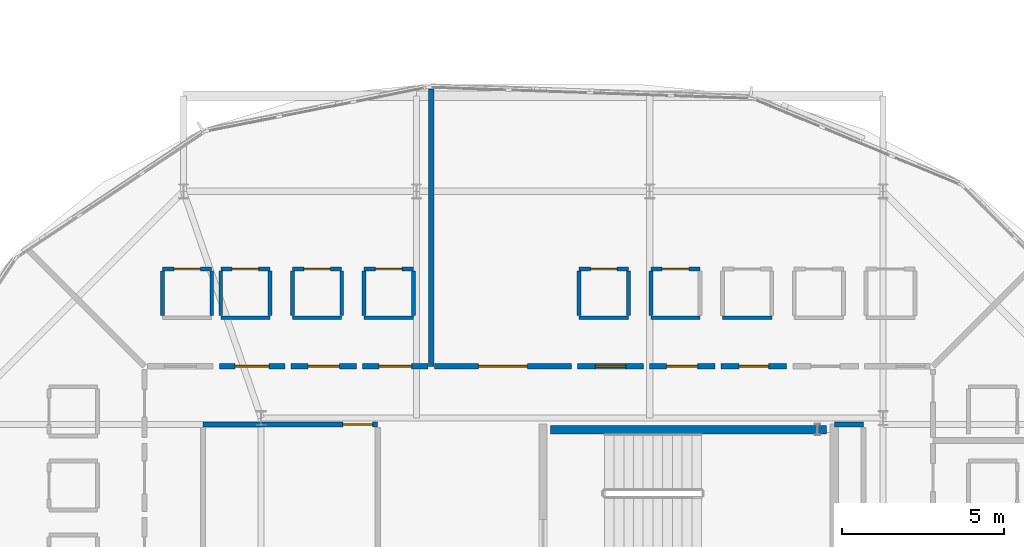
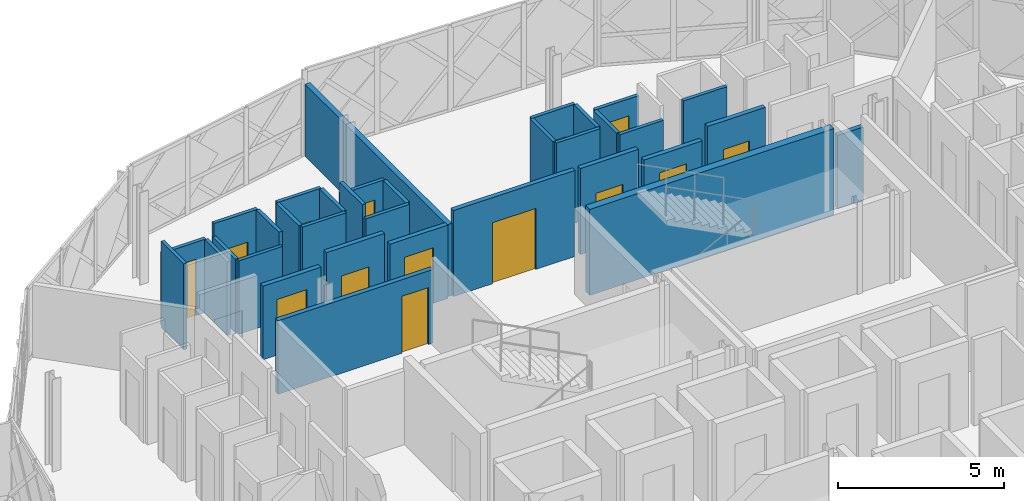
# One storey, part 19 of 25: 34 walls, 14 doors, 14 openings.
"""IFC4 building model written with IfcOpenShell, lengths in metres."""

from ifc_helpers import new_model, si_unit, direction, frame, frame_2d, origin, place, context, subcontext, project, spatial, rectangle, extrude, material, layer, layer_set, type_object, element, fill, save


model = new_model("IFC4")

# Units and contexts
model_context = context("Model", 3, precision=1e-05, world=origin(), true_north=direction((0.0, 1.0)))
body_context = subcontext(model_context, "Body", "Model", "MODEL_VIEW")
ifc_project = project(units=[si_unit("LENGTHUNIT", "METRE"), si_unit("AREAUNIT", "SQUARE_METRE"), si_unit("VOLUMEUNIT", "CUBIC_METRE"), si_unit("PLANEANGLEUNIT", "RADIAN"), si_unit("MASSUNIT", "GRAM", prefix="KILO")], contexts=[model_context])

# Site, building, storey
site_placement = place(None, origin())
site = spatial("IfcSite", under=ifc_project, at=site_placement, CompositionType="ELEMENT")
building_placement = place(site_placement, origin())
building = spatial("IfcBuilding", under=site, at=building_placement, Name="Zevrakil Square Congress Hotel", CompositionType="ELEMENT")
storey_placement = place(building_placement, frame((0.0, 0.0, 28.300048828125)))
storey = spatial("IfcBuildingStorey", under=building, at=storey_placement, Name="L08", CompositionType="ELEMENT", Elevation=28.300048828125)

# Wall, opening, door
ifc_material_1 = material(Name="Gypsum Acoustic Stud Partition")
ifc_layer_1 = layer(ifc_material_1, 0.159912109375)
ifc_layer_set_1 = layer_set([ifc_layer_1], Name="Gypsum Acoustic Stud Partition")
wall_type_1 = type_object("IfcWallType", Name="WAL-CORR-160", PredefinedType="PARTITIONING", material=ifc_layer_set_1)
wall_1_placement = place(storey_placement, frame((135.0, 38.39990234375, 0.0), z_axis=(0.0, 0.0, 1.0), x_axis=(1.0, 0.0, 0.0)))
wall_1 = element("IfcWall", 1, at=wall_1_placement, inside=storey, type_object=wall_type_1, Name="L08 interior partition PW-L08-1120", PredefinedType="PARTITIONING", context=body_context, shape_type="SweptSolid", body=[
    extrude(rectangle(XDim=5.39990234375, YDim=0.159912109375, at=frame_2d((2.699951171875, 0.0))), origin(), (0.0, 0.0, 1.0), 2.7099609375),
])
opening_1_placement = place(wall_1_placement, frame((4.320068359375, 0.0, 0.0)))
opening_1 = element("IfcOpeningElement", 2, at=opening_1_placement, cuts=wall_1, Name="Opening ID-07", PredefinedType="OPENING", context=body_context, shape_type="SweptSolid", body=[
    extrude(rectangle(XDim=0.919921875, YDim=2.10009765625, at=frame_2d((0.4599609375, 1.050048828125))), frame((0.0, 0.08984375, 0.0), z_axis=(0.0, -1.0, 0.0), x_axis=(1.0, 0.0, 0.0)), (0.0, 0.0, 1.0), 0.179931640625),
])
ifc_material_2 = material(Name="Accessible Restroom Door")
door_type_1 = type_object("IfcDoorType", Name="DOR-WC-092", OperationType="NOTDEFINED", PredefinedType="DOOR", material=ifc_material_2)
door_1_placement = place(opening_1_placement, origin())
door_1 = element("IfcDoor", 3, at=door_1_placement, inside=storey, type_object=door_type_1, Name="L08 interior door 439", OperationType="SINGLE_SWING_LEFT", OverallHeight=2.10009765625, OverallWidth=0.919921875, PredefinedType="DOOR", context=body_context, shape_type="SweptSolid", body=[
    extrude(rectangle(XDim=0.919921875, YDim=2.10009765625, at=frame_2d((0.4599609375, 1.050048828125))), frame((0.0, 0.02490234375, 0.0), z_axis=(0.0, -1.0, 0.0), x_axis=(1.0, 0.0, 0.0)), (0.0, 0.0, 1.0), 0.050048828125),
])
fill(opening_1, door_1)

# Wall
wall_2_placement = place(storey_placement, frame((154.5, 38.39990234375, 0.0), z_axis=(0.0, 0.0, 1.0), x_axis=(1.0, 0.0, 0.0)))
element("IfcWall", 4, at=wall_2_placement, inside=storey, type_object=wall_type_1, Name="L08 interior partition PW-L08-1125", PredefinedType="PARTITIONING", context=body_context, shape_type="SweptSolid", body=[
    extrude(rectangle(XDim=0.89990234375, YDim=0.159912109375, at=frame_2d((0.449951171875, 0.0))), origin(), (0.0, 0.0, 1.0), 2.7099609375),
])

# Wall, opening, door
wall_3_placement = place(storey_placement, frame((142.149658203125, 40.199951171875, 0.0), z_axis=(0.0, 0.0, 1.0), x_axis=(1.0, 0.0, 0.0)))
wall_3 = element("IfcWall", 5, at=wall_3_placement, inside=storey, type_object=wall_type_1, Name="L08 interior partition PW-L08-1132", PredefinedType="PARTITIONING", context=body_context, shape_type="SweptSolid", body=[
    extrude(rectangle(XDim=4.237060546875, YDim=0.159912109375, at=frame_2d((2.11865234375, 0.0))), origin(), (0.0, 0.0, 1.0), 3.175048828125),
])
opening_2_placement = place(wall_3_placement, frame((1.36865234375, 0.0, 0.0)))
opening_2 = element("IfcOpeningElement", 6, at=opening_2_placement, cuts=wall_3, Name="Opening ID-03", PredefinedType="OPENING", context=body_context, shape_type="SweptSolid", body=[
    extrude(rectangle(XDim=1.5, YDim=2.25, at=frame_2d((0.75, 1.125))), frame((0.0, 0.08984375, 0.0), z_axis=(0.0, -1.0, 0.0), x_axis=(1.0, 0.0, 0.0)), (0.0, 0.0, 1.0), 0.179931640625),
])
ifc_material_3 = material(Name="Acoustic Double Meeting Door")
door_type_2 = type_object("IfcDoorType", Name="DOR-MTG-150", OperationType="NOTDEFINED", PredefinedType="DOOR", material=ifc_material_3)
door_2_placement = place(opening_2_placement, origin())
door_2 = element("IfcDoor", 7, at=door_2_placement, inside=storey, type_object=door_type_2, Name="L08 interior door 442", OperationType="DOUBLE_DOOR_SINGLE_SWING", OverallHeight=2.25, OverallWidth=1.5, PredefinedType="DOOR", context=body_context, shape_type="SweptSolid", body=[
    extrude(rectangle(XDim=1.5, YDim=2.25, at=frame_2d((0.75, 1.125))), frame((0.0, 0.02490234375, 0.0), z_axis=(0.0, -1.0, 0.0), x_axis=(1.0, 0.0, 0.0)), (0.0, 0.0, 1.0), 0.050048828125),
])
fill(opening_2, door_2)

wall_4_placement = place(storey_placement, frame((151.004150390625, 40.199951171875, 0.0), z_axis=(0.0, 0.0, 1.0), x_axis=(1.0, 0.0, 0.0)))
wall_4 = element("IfcWall", 8, at=wall_4_placement, inside=storey, type_object=wall_type_1, Name="L08 interior partition PW-L08-1256", PredefinedType="PARTITIONING", context=body_context, shape_type="SweptSolid", body=[
    extrude(rectangle(XDim=2.0234375, YDim=0.159912109375, at=frame_2d((1.01171875, 0.0))), origin(), (0.0, 0.0, 1.0), 3.175048828125),
])
opening_3_placement = place(wall_4_placement, frame((0.555908203125, 0.0, 0.0)))
opening_3 = element("IfcOpeningElement", 9, at=opening_3_placement, cuts=wall_4, Name="Opening ID-H06", PredefinedType="OPENING", context=body_context, shape_type="SweptSolid", body=[
    extrude(rectangle(XDim=0.912109375, YDim=2.1298828125, at=frame_2d((0.4560546875, 1.06494140625))), frame((0.0, 0.08984375, 0.0), z_axis=(0.0, -1.0, 0.0), x_axis=(1.0, 0.0, 0.0)), (0.0, 0.0, 1.0), 0.179931640625),
])
ifc_material_4 = material(Name="Acoustic Timber Fire Door", Category="wood")
door_type_3 = type_object("IfcDoorType", Name="DOR-INT-H06", OperationType="NOTDEFINED", PredefinedType="DOOR", material=ifc_material_4)
door_3_placement = place(opening_3_placement, origin())
door_3 = element("IfcDoor", 10, at=door_3_placement, inside=storey, type_object=door_type_3, Name="L08 interior door 491", OperationType="SINGLE_SWING_LEFT", OverallHeight=2.1298828125, OverallWidth=0.912109375, PredefinedType="DOOR", context=body_context, shape_type="SweptSolid", body=[
    extrude(rectangle(XDim=0.912109375, YDim=2.1298828125, at=frame_2d((0.4560546875, 1.06494140625))), frame((0.0, 0.02490234375, 0.0), z_axis=(0.0, -1.0, 0.0), x_axis=(1.0, 0.0, 0.0)), (0.0, 0.0, 1.0), 0.050048828125),
])
fill(opening_3, door_3)

wall_5_placement = place(storey_placement, frame((148.79052734375, 40.199951171875, 0.0), z_axis=(0.0, 0.0, 1.0), x_axis=(1.0, 0.0, 0.0)))
wall_5 = element("IfcWall", 11, at=wall_5_placement, inside=storey, type_object=wall_type_1, Name="L08 interior partition PW-L08-1261", PredefinedType="PARTITIONING", context=body_context, shape_type="SweptSolid", body=[
    extrude(rectangle(XDim=2.023681640625, YDim=0.159912109375, at=frame_2d((1.01171875, 0.0))), origin(), (0.0, 0.0, 1.0), 2.7099609375),
])
opening_4_placement = place(wall_5_placement, frame((0.5341796875, 0.0, 0.0)))
opening_4 = element("IfcOpeningElement", 12, at=opening_4_placement, cuts=wall_5, Name="Opening ID-G05", PredefinedType="OPENING", context=body_context, shape_type="SweptSolid", body=[
    extrude(rectangle(XDim=0.955078125, YDim=2.050048828125, at=frame_2d((0.4775390625, 1.02490234375))), frame((0.0, 0.08984375, 0.0), z_axis=(0.0, -1.0, 0.0), x_axis=(1.0, 0.0, 0.0)), (0.0, 0.0, 1.0), 0.179931640625),
])
ifc_material_5 = material(Name="Acoustic Timber Fire Door", Category="wood")
door_type_4 = type_object("IfcDoorType", Name="DOR-INT-G05", OperationType="NOTDEFINED", PredefinedType="DOOR", material=ifc_material_5)
door_4_placement = place(opening_4_placement, origin())
door_4 = element("IfcDoor", 13, at=door_4_placement, inside=storey, type_object=door_type_4, Name="L08 interior door 493", OperationType="SINGLE_SWING_LEFT", OverallHeight=2.050048828125, OverallWidth=0.955078125, PredefinedType="DOOR", context=body_context, shape_type="SweptSolid", body=[
    extrude(rectangle(XDim=0.955078125, YDim=2.050048828125, at=frame_2d((0.4775390625, 1.02490234375))), frame((0.0, 0.02490234375, 0.0), z_axis=(0.0, -1.0, 0.0), x_axis=(1.0, 0.0, 0.0)), (0.0, 0.0, 1.0), 0.050048828125),
])
fill(opening_4, door_4)

wall_6_placement = place(storey_placement, frame((146.576904296875, 40.199951171875, 0.0), z_axis=(0.0, 0.0, 1.0), x_axis=(1.0, 0.0, 0.0)))
wall_6 = element("IfcWall", 14, at=wall_6_placement, inside=storey, type_object=wall_type_1, Name="L08 interior partition PW-L08-1266", PredefinedType="PARTITIONING", context=body_context, shape_type="SweptSolid", body=[
    extrude(rectangle(XDim=2.023681640625, YDim=0.159912109375, at=frame_2d((1.01171875, 0.0))), origin(), (0.0, 0.0, 1.0), 3.175048828125),
])
opening_5_placement = place(wall_6_placement, frame((0.543701171875, 0.0, 0.0)))
opening_5 = element("IfcOpeningElement", 15, at=opening_5_placement, cuts=wall_6, Name="Opening ID-H08", PredefinedType="OPENING", context=body_context, shape_type="SweptSolid", body=[
    extrude(rectangle(XDim=0.93603515625, YDim=2.070068359375, at=frame_2d((0.468017578125, 1.03515625))), frame((0.0, 0.08984375, 0.0), z_axis=(0.0, -1.0, 0.0), x_axis=(1.0, 0.0, 0.0)), (0.0, 0.0, 1.0), 0.179931640625),
])
ifc_material_6 = material(Name="Acoustic Timber Fire Door", Category="wood")
door_type_5 = type_object("IfcDoorType", Name="DOR-INT-H08", OperationType="NOTDEFINED", PredefinedType="DOOR", material=ifc_material_6)
door_5_placement = place(opening_5_placement, origin())
door_5 = element("IfcDoor", 16, at=door_5_placement, inside=storey, type_object=door_type_5, Name="L08 interior door 495", OperationType="SINGLE_SWING_LEFT", OverallHeight=2.070068359375, OverallWidth=0.93603515625, PredefinedType="DOOR", context=body_context, shape_type="SweptSolid", body=[
    extrude(rectangle(XDim=0.93603515625, YDim=2.070068359375, at=frame_2d((0.468017578125, 1.03515625))), frame((0.0, 0.02490234375, 0.0), z_axis=(0.0, -1.0, 0.0), x_axis=(1.0, 0.0, 0.0)), (0.0, 0.0, 1.0), 0.050048828125),
])
fill(opening_5, door_5)

wall_7_placement = place(storey_placement, frame((139.935791015625, 40.199951171875, 0.0), z_axis=(0.0, 0.0, 1.0), x_axis=(1.0, 0.0, 0.0)))
wall_7 = element("IfcWall", 17, at=wall_7_placement, inside=storey, type_object=wall_type_1, Name="L08 interior partition PW-L08-1271", PredefinedType="PARTITIONING", context=body_context, shape_type="SweptSolid", body=[
    extrude(rectangle(XDim=2.023681640625, YDim=0.159912109375, at=frame_2d((1.01171875, 0.0))), origin(), (0.0, 0.0, 1.0), 2.7099609375),
])
opening_6_placement = place(wall_7_placement, frame((0.50927734375, 0.0, 0.0)))
opening_6 = element("IfcOpeningElement", 18, at=opening_6_placement, cuts=wall_7, Name="Opening ID-G07", PredefinedType="OPENING", context=body_context, shape_type="SweptSolid", body=[
    extrude(rectangle(XDim=1.0048828125, YDim=2.050048828125, at=frame_2d((0.50244140625, 1.02490234375))), frame((0.0, 0.08984375, 0.0), z_axis=(0.0, -1.0, 0.0), x_axis=(1.0, 0.0, 0.0)), (0.0, 0.0, 1.0), 0.179931640625),
])
ifc_material_7 = material(Name="Acoustic Timber Fire Door", Category="wood")
door_type_6 = type_object("IfcDoorType", Name="DOR-INT-G07", OperationType="NOTDEFINED", PredefinedType="DOOR", material=ifc_material_7)
door_6_placement = place(opening_6_placement, origin())
door_6 = element("IfcDoor", 19, at=door_6_placement, inside=storey, type_object=door_type_6, Name="L08 interior door 497", OperationType="SINGLE_SWING_LEFT", OverallHeight=2.050048828125, OverallWidth=1.0048828125, PredefinedType="DOOR", context=body_context, shape_type="SweptSolid", body=[
    extrude(rectangle(XDim=1.0048828125, YDim=2.050048828125, at=frame_2d((0.50244140625, 1.02490234375))), frame((0.0, 0.02490234375, 0.0), z_axis=(0.0, -1.0, 0.0), x_axis=(1.0, 0.0, 0.0)), (0.0, 0.0, 1.0), 0.050048828125),
])
fill(opening_6, door_6)

wall_8_placement = place(storey_placement, frame((137.722412109375, 40.199951171875, 0.0), z_axis=(0.0, 0.0, 1.0), x_axis=(1.0, 0.0, 0.0)))
wall_8 = element("IfcWall", 20, at=wall_8_placement, inside=storey, type_object=wall_type_1, Name="L08 interior partition PW-L08-1277", PredefinedType="PARTITIONING", context=body_context, shape_type="SweptSolid", body=[
    extrude(rectangle(XDim=2.0234375, YDim=0.159912109375, at=frame_2d((1.01171875, 0.0))), origin(), (0.0, 0.0, 1.0), 3.175048828125),
])
opening_7_placement = place(wall_8_placement, frame((0.53173828125, 0.0, 0.0)))
opening_7 = element("IfcOpeningElement", 21, at=opening_7_placement, cuts=wall_8, Name="Opening ID-H10", PredefinedType="OPENING", context=body_context, shape_type="SweptSolid", body=[
    extrude(rectangle(XDim=0.9599609375, YDim=2.1298828125, at=frame_2d((0.47998046875, 1.06494140625))), frame((0.0, 0.08984375, 0.0), z_axis=(0.0, -1.0, 0.0), x_axis=(1.0, 0.0, 0.0)), (0.0, 0.0, 1.0), 0.179931640625),
])
ifc_material_8 = material(Name="Acoustic Timber Fire Door", Category="wood")
door_type_7 = type_object("IfcDoorType", Name="DOR-INT-H10", OperationType="NOTDEFINED", PredefinedType="DOOR", material=ifc_material_8)
door_7_placement = place(opening_7_placement, origin())
door_7 = element("IfcDoor", 22, at=door_7_placement, inside=storey, type_object=door_type_7, Name="L08 interior door 499", OperationType="SINGLE_SWING_LEFT", OverallHeight=2.1298828125, OverallWidth=0.9599609375, PredefinedType="DOOR", context=body_context, shape_type="SweptSolid", body=[
    extrude(rectangle(XDim=0.9599609375, YDim=2.1298828125, at=frame_2d((0.47998046875, 1.06494140625))), frame((0.0, 0.02490234375, 0.0), z_axis=(0.0, -1.0, 0.0), x_axis=(1.0, 0.0, 0.0)), (0.0, 0.0, 1.0), 0.050048828125),
])
fill(opening_7, door_7)

wall_9_placement = place(storey_placement, frame((135.5087890625, 40.199951171875, 0.0), z_axis=(0.0, 0.0, 1.0), x_axis=(1.0, 0.0, 0.0)))
wall_9 = element("IfcWall", 23, at=wall_9_placement, inside=storey, type_object=wall_type_1, Name="L08 interior partition PW-L08-1282", PredefinedType="PARTITIONING", context=body_context, shape_type="SweptSolid", body=[
    extrude(rectangle(XDim=2.0234375, YDim=0.159912109375, at=frame_2d((1.01171875, 0.0))), origin(), (0.0, 0.0, 1.0), 2.7099609375),
])
opening_8_placement = place(wall_9_placement, frame((0.484375, 0.0, 0.0)))
opening_8 = element("IfcOpeningElement", 24, at=opening_8_placement, cuts=wall_9, Name="Opening ID-G09", PredefinedType="OPENING", context=body_context, shape_type="SweptSolid", body=[
    extrude(rectangle(XDim=1.054931640625, YDim=2.050048828125, at=frame_2d((0.52734375, 1.02490234375))), frame((0.0, 0.08984375, 0.0), z_axis=(0.0, -1.0, 0.0), x_axis=(1.0, 0.0, 0.0)), (0.0, 0.0, 1.0), 0.179931640625),
])
ifc_material_9 = material(Name="Acoustic Timber Fire Door", Category="wood")
door_type_8 = type_object("IfcDoorType", Name="DOR-INT-G09", OperationType="NOTDEFINED", PredefinedType="DOOR", material=ifc_material_9)
door_8_placement = place(opening_8_placement, origin())
door_8 = element("IfcDoor", 25, at=door_8_placement, inside=storey, type_object=door_type_8, Name="L08 interior door 501", OperationType="SINGLE_SWING_LEFT", OverallHeight=2.050048828125, OverallWidth=1.054931640625, PredefinedType="DOOR", context=body_context, shape_type="SweptSolid", body=[
    extrude(rectangle(XDim=1.054931640625, YDim=2.050048828125, at=frame_2d((0.52734375, 1.02490234375))), frame((0.0, 0.02490234375, 0.0), z_axis=(0.0, -1.0, 0.0), x_axis=(1.0, 0.0, 0.0)), (0.0, 0.0, 1.0), 0.050048828125),
])
fill(opening_8, door_8)

# Walls
ifc_material_10 = material(Name="Moisture-Resistant Gypsum Partition")
ifc_layer_2 = layer(ifc_material_10, 0.1201171875)
ifc_layer_set_2 = layer_set([ifc_layer_2], Name="Moisture-Resistant Gypsum Partition")
wall_type_2 = type_object("IfcWallType", Name="WAL-ENS-120", PredefinedType="PARTITIONING", material=ifc_layer_set_2)
wall_10_placement = place(storey_placement, frame((151.049072265625, 41.699951171875, 0.0), z_axis=(0.0, 0.0, 1.0), x_axis=(1.0, 0.0, 0.0)))
element("IfcWall", 26, at=wall_10_placement, inside=storey, type_object=wall_type_2, Name="L08 interior partition PW-L08-1257", PredefinedType="PARTITIONING", context=body_context, shape_type="SweptSolid", body=[
    extrude(rectangle(XDim=1.52001953125, YDim=0.1201171875, at=frame_2d((0.760009765625, 0.0))), origin(), (0.0, 0.0, 1.0), 3.175048828125),
])
wall_11_placement = place(storey_placement, frame((148.83544921875, 41.699951171875, 0.0), z_axis=(0.0, 0.0, 1.0), x_axis=(1.0, 0.0, 0.0)))
element("IfcWall", 27, at=wall_11_placement, inside=storey, type_object=wall_type_2, Name="L08 interior partition PW-L08-1262", PredefinedType="PARTITIONING", context=body_context, shape_type="SweptSolid", body=[
    extrude(rectangle(XDim=1.52001953125, YDim=0.1201171875, at=frame_2d((0.760009765625, 0.0))), origin(), (0.0, 0.0, 1.0), 2.7099609375),
])

# Wall, opening, door
wall_12_placement = place(storey_placement, frame((148.83544921875, 43.199951171875, 0.0), z_axis=(0.0, 0.0, 1.0), x_axis=(1.0, 0.0, 0.0)))
wall_12 = element("IfcWall", 28, at=wall_12_placement, inside=storey, type_object=wall_type_2, Name="L08 interior partition PW-L08-1263", PredefinedType="PARTITIONING", context=body_context, shape_type="SweptSolid", body=[
    extrude(rectangle(XDim=1.52001953125, YDim=0.1201171875, at=frame_2d((0.760009765625, 0.0))), origin(), (0.0, 0.0, 1.0), 2.7099609375),
])
opening_9_placement = place(wall_12_placement, frame((0.35009765625, 0.0, 0.0)))
opening_9 = element("IfcOpeningElement", 29, at=opening_9_placement, cuts=wall_12, Name="Opening ID-11", PredefinedType="OPENING", context=body_context, shape_type="SweptSolid", body=[
    extrude(rectangle(XDim=0.820068359375, YDim=2.080078125, at=frame_2d((0.41015625, 1.0400390625))), frame((0.0, 0.070068359375, 0.0), z_axis=(0.0, -1.0, 0.0), x_axis=(1.0, 0.0, 0.0)), (0.0, 0.0, 1.0), 0.14013671875),
])
ifc_material_11 = material(Name="Acoustic Timber Door", Category="wood")
door_type_9 = type_object("IfcDoorType", Name="DOR-INT-V01", OperationType="NOTDEFINED", PredefinedType="DOOR", material=ifc_material_11)
door_9_placement = place(opening_9_placement, origin())
door_9 = element("IfcDoor", 30, at=door_9_placement, inside=storey, type_object=door_type_9, Name="L08 interior door 494", OperationType="SINGLE_SWING_RIGHT", OverallHeight=2.080078125, OverallWidth=0.820068359375, PredefinedType="DOOR", context=body_context, shape_type="SweptSolid", body=[
    extrude(rectangle(XDim=0.820068359375, YDim=2.080078125, at=frame_2d((0.41015625, 1.0400390625))), frame((0.0, 0.02490234375, 0.0), z_axis=(0.0, -1.0, 0.0), x_axis=(1.0, 0.0, 0.0)), (0.0, 0.0, 1.0), 0.050048828125),
])
fill(opening_9, door_9)

# Walls
wall_13_placement = place(storey_placement, frame((148.83544921875, 41.764892578125, 0.0), z_axis=(0.0, 0.0, 1.0), x_axis=(0.0, 1.0, 0.0)))
element("IfcWall", 31, at=wall_13_placement, inside=storey, type_object=wall_type_2, Name="L08 interior partition PW-L08-1264", PredefinedType="PARTITIONING", context=body_context, shape_type="SweptSolid", body=[
    extrude(rectangle(XDim=1.3701171875, YDim=0.1201171875, at=frame_2d((0.68505859375, 0.0))), origin(), (0.0, 0.0, 1.0), 2.7099609375),
])
wall_14_placement = place(storey_placement, frame((146.621826171875, 41.699951171875, 0.0), z_axis=(0.0, 0.0, 1.0), x_axis=(1.0, 0.0, 0.0)))
element("IfcWall", 32, at=wall_14_placement, inside=storey, type_object=wall_type_2, Name="L08 interior partition PW-L08-1267", PredefinedType="PARTITIONING", context=body_context, shape_type="SweptSolid", body=[
    extrude(rectangle(XDim=1.52001953125, YDim=0.1201171875, at=frame_2d((0.760009765625, 0.0))), origin(), (0.0, 0.0, 1.0), 3.175048828125),
])

# Wall, opening, door
wall_15_placement = place(storey_placement, frame((146.621826171875, 43.199951171875, 0.0), z_axis=(0.0, 0.0, 1.0), x_axis=(1.0, 0.0, 0.0)))
wall_15 = element("IfcWall", 33, at=wall_15_placement, inside=storey, type_object=wall_type_2, Name="L08 interior partition PW-L08-1268", PredefinedType="PARTITIONING", context=body_context, shape_type="SweptSolid", body=[
    extrude(rectangle(XDim=1.52001953125, YDim=0.1201171875, at=frame_2d((0.760009765625, 0.0))), origin(), (0.0, 0.0, 1.0), 3.175048828125),
])
opening_10_placement = place(wall_15_placement, frame((0.35009765625, 0.0, 0.0)))
opening_10 = element("IfcOpeningElement", 34, at=opening_10_placement, cuts=wall_15, Name="Opening ID-11", PredefinedType="OPENING", context=body_context, shape_type="SweptSolid", body=[
    extrude(rectangle(XDim=0.820068359375, YDim=2.080078125, at=frame_2d((0.41015625, 1.0400390625))), frame((0.0, 0.070068359375, 0.0), z_axis=(0.0, -1.0, 0.0), x_axis=(1.0, 0.0, 0.0)), (0.0, 0.0, 1.0), 0.14013671875),
])
door_10_placement = place(opening_10_placement, origin())
door_10 = element("IfcDoor", 35, at=door_10_placement, inside=storey, type_object=door_type_9, Name="L08 interior door 496", OperationType="SINGLE_SWING_RIGHT", OverallHeight=2.080078125, OverallWidth=0.820068359375, PredefinedType="DOOR", context=body_context, shape_type="SweptSolid", body=[
    extrude(rectangle(XDim=0.820068359375, YDim=2.080078125, at=frame_2d((0.41015625, 1.0400390625))), frame((0.0, 0.02490234375, 0.0), z_axis=(0.0, -1.0, 0.0), x_axis=(1.0, 0.0, 0.0)), (0.0, 0.0, 1.0), 0.050048828125),
])
fill(opening_10, door_10)

# Walls
for number, where, z_axis, x_axis, name in (
    (36, (146.621826171875, 41.764892578125, 0.0), (0.0, 0.0, 1.0), (0.0, 1.0, 0.0), "L08 interior partition PW-L08-1269"),
    (37, (148.141845703125, 41.764892578125, 0.0), (0.0, 0.0, 1.0), (0.0, 1.0, 0.0), "L08 interior partition PW-L08-1270"),
):
    element("IfcWall", number, at=place(storey_placement, frame(where, z_axis=z_axis, x_axis=x_axis)), inside=storey, type_object=wall_type_2, Name=name, PredefinedType="PARTITIONING", context=body_context, shape_type="SweptSolid", body=[
        extrude(rectangle(XDim=1.3701171875, YDim=0.1201171875, at=frame_2d((0.68505859375, 0.0))), origin(), (0.0, 0.0, 1.0), 3.175048828125),
    ])
wall_16_placement = place(storey_placement, frame((139.98095703125, 41.699951171875, 0.0), z_axis=(0.0, 0.0, 1.0), x_axis=(1.0, 0.0, 0.0)))
element("IfcWall", 38, at=wall_16_placement, inside=storey, type_object=wall_type_2, Name="L08 interior partition PW-L08-1272", PredefinedType="PARTITIONING", context=body_context, shape_type="SweptSolid", body=[
    extrude(rectangle(XDim=1.52001953125, YDim=0.1201171875, at=frame_2d((0.760009765625, 0.0))), origin(), (0.0, 0.0, 1.0), 2.7099609375),
])

# Wall, opening, door
wall_17_placement = place(storey_placement, frame((139.98095703125, 43.199951171875, 0.0), z_axis=(0.0, 0.0, 1.0), x_axis=(1.0, 0.0, 0.0)))
wall_17 = element("IfcWall", 39, at=wall_17_placement, inside=storey, type_object=wall_type_2, Name="L08 interior partition PW-L08-1273", PredefinedType="PARTITIONING", context=body_context, shape_type="SweptSolid", body=[
    extrude(rectangle(XDim=1.52001953125, YDim=0.1201171875, at=frame_2d((0.760009765625, 0.0))), origin(), (0.0, 0.0, 1.0), 2.7099609375),
])
opening_11_placement = place(wall_17_placement, frame((0.35009765625, 0.0, 0.0)))
opening_11 = element("IfcOpeningElement", 40, at=opening_11_placement, cuts=wall_17, Name="Opening ID-11", PredefinedType="OPENING", context=body_context, shape_type="SweptSolid", body=[
    extrude(rectangle(XDim=0.820068359375, YDim=2.080078125, at=frame_2d((0.41015625, 1.0400390625))), frame((0.0, 0.070068359375, 0.0), z_axis=(0.0, -1.0, 0.0), x_axis=(1.0, 0.0, 0.0)), (0.0, 0.0, 1.0), 0.14013671875),
])
door_11_placement = place(opening_11_placement, origin())
door_11 = element("IfcDoor", 41, at=door_11_placement, inside=storey, type_object=door_type_9, Name="L08 interior door 498", OperationType="SINGLE_SWING_RIGHT", OverallHeight=2.080078125, OverallWidth=0.820068359375, PredefinedType="DOOR", context=body_context, shape_type="SweptSolid", body=[
    extrude(rectangle(XDim=0.820068359375, YDim=2.080078125, at=frame_2d((0.41015625, 1.0400390625))), frame((0.0, 0.02490234375, 0.0), z_axis=(0.0, -1.0, 0.0), x_axis=(1.0, 0.0, 0.0)), (0.0, 0.0, 1.0), 0.050048828125),
])
fill(opening_11, door_11)

# Walls
wall_18_placement = place(storey_placement, frame((139.98095703125, 41.764892578125, 0.0), z_axis=(0.0, 0.0, 1.0), x_axis=(0.0, 1.0, 0.0)))
element("IfcWall", 42, at=wall_18_placement, inside=storey, type_object=wall_type_2, Name="L08 interior partition PW-L08-1274", PredefinedType="PARTITIONING", context=body_context, shape_type="SweptSolid", body=[
    extrude(rectangle(XDim=1.3701171875, YDim=0.1201171875, at=frame_2d((0.68505859375, 0.0))), origin(), (0.0, 0.0, 1.0), 3.175048828125),
])
wall_19_placement = place(storey_placement, frame((141.5009765625, 41.764892578125, 0.0), z_axis=(0.0, 0.0, 1.0), x_axis=(0.0, 1.0, 0.0)))
element("IfcWall", 43, at=wall_19_placement, inside=storey, type_object=wall_type_2, Name="L08 interior partition PW-L08-1275", PredefinedType="PARTITIONING", context=body_context, shape_type="SweptSolid", body=[
    extrude(rectangle(XDim=1.3701171875, YDim=0.1201171875, at=frame_2d((0.68505859375, 0.0))), origin(), (0.0, 0.0, 1.0), 2.7099609375),
])
wall_20_placement = place(storey_placement, frame((137.767333984375, 41.699951171875, 0.0), z_axis=(0.0, 0.0, 1.0), x_axis=(1.0, 0.0, 0.0)))
element("IfcWall", 44, at=wall_20_placement, inside=storey, type_object=wall_type_2, Name="L08 interior partition PW-L08-1278", PredefinedType="PARTITIONING", context=body_context, shape_type="SweptSolid", body=[
    extrude(rectangle(XDim=1.52001953125, YDim=0.1201171875, at=frame_2d((0.760009765625, 0.0))), origin(), (0.0, 0.0, 1.0), 3.175048828125),
])

# Wall, opening, door
wall_21_placement = place(storey_placement, frame((137.767333984375, 43.199951171875, 0.0), z_axis=(0.0, 0.0, 1.0), x_axis=(1.0, 0.0, 0.0)))
wall_21 = element("IfcWall", 45, at=wall_21_placement, inside=storey, type_object=wall_type_2, Name="L08 interior partition PW-L08-1279", PredefinedType="PARTITIONING", context=body_context, shape_type="SweptSolid", body=[
    extrude(rectangle(XDim=1.52001953125, YDim=0.1201171875, at=frame_2d((0.760009765625, 0.0))), origin(), (0.0, 0.0, 1.0), 3.175048828125),
])
opening_12_placement = place(wall_21_placement, frame((0.35009765625, 0.0, 0.0)))
opening_12 = element("IfcOpeningElement", 46, at=opening_12_placement, cuts=wall_21, Name="Opening ID-11", PredefinedType="OPENING", context=body_context, shape_type="SweptSolid", body=[
    extrude(rectangle(XDim=0.820068359375, YDim=2.080078125, at=frame_2d((0.41015625, 1.0400390625))), frame((0.0, 0.070068359375, 0.0), z_axis=(0.0, -1.0, 0.0), x_axis=(1.0, 0.0, 0.0)), (0.0, 0.0, 1.0), 0.14013671875),
])
door_12_placement = place(opening_12_placement, origin())
door_12 = element("IfcDoor", 47, at=door_12_placement, inside=storey, type_object=door_type_9, Name="L08 interior door 500", OperationType="SINGLE_SWING_RIGHT", OverallHeight=2.080078125, OverallWidth=0.820068359375, PredefinedType="DOOR", context=body_context, shape_type="SweptSolid", body=[
    extrude(rectangle(XDim=0.820068359375, YDim=2.080078125, at=frame_2d((0.41015625, 1.0400390625))), frame((0.0, 0.02490234375, 0.0), z_axis=(0.0, -1.0, 0.0), x_axis=(1.0, 0.0, 0.0)), (0.0, 0.0, 1.0), 0.050048828125),
])
fill(opening_12, door_12)

# Walls
for number, where, z_axis, x_axis, name in (
    (48, (137.767333984375, 41.764892578125, 0.0), (0.0, 0.0, 1.0), (0.0, 1.0, 0.0), "L08 interior partition PW-L08-1280"),
    (49, (139.287353515625, 41.764892578125, 0.0), (0.0, 0.0, 1.0), (0.0, 1.0, 0.0), "L08 interior partition PW-L08-1281"),
):
    element("IfcWall", number, at=place(storey_placement, frame(where, z_axis=z_axis, x_axis=x_axis)), inside=storey, type_object=wall_type_2, Name=name, PredefinedType="PARTITIONING", context=body_context, shape_type="SweptSolid", body=[
        extrude(rectangle(XDim=1.3701171875, YDim=0.1201171875, at=frame_2d((0.68505859375, 0.0))), origin(), (0.0, 0.0, 1.0), 3.175048828125),
    ])
wall_22_placement = place(storey_placement, frame((135.5537109375, 41.699951171875, 0.0), z_axis=(0.0, 0.0, 1.0), x_axis=(1.0, 0.0, 0.0)))
element("IfcWall", 50, at=wall_22_placement, inside=storey, type_object=wall_type_2, Name="L08 interior partition PW-L08-1283", PredefinedType="PARTITIONING", context=body_context, shape_type="SweptSolid", body=[
    extrude(rectangle(XDim=1.52001953125, YDim=0.1201171875, at=frame_2d((0.760009765625, 0.0))), origin(), (0.0, 0.0, 1.0), 2.7099609375),
])

# Wall, opening, door
wall_23_placement = place(storey_placement, frame((135.5537109375, 43.199951171875, 0.0), z_axis=(0.0, 0.0, 1.0), x_axis=(1.0, 0.0, 0.0)))
wall_23 = element("IfcWall", 51, at=wall_23_placement, inside=storey, type_object=wall_type_2, Name="L08 interior partition PW-L08-1284", PredefinedType="PARTITIONING", context=body_context, shape_type="SweptSolid", body=[
    extrude(rectangle(XDim=1.52001953125, YDim=0.1201171875, at=frame_2d((0.760009765625, 0.0))), origin(), (0.0, 0.0, 1.0), 3.175048828125),
])
opening_13_placement = place(wall_23_placement, frame((0.35009765625, 0.0, 0.0)))
opening_13 = element("IfcOpeningElement", 52, at=opening_13_placement, cuts=wall_23, Name="Opening ID-11", PredefinedType="OPENING", context=body_context, shape_type="SweptSolid", body=[
    extrude(rectangle(XDim=0.820068359375, YDim=2.080078125, at=frame_2d((0.41015625, 1.0400390625))), frame((0.0, 0.070068359375, 0.0), z_axis=(0.0, -1.0, 0.0), x_axis=(1.0, 0.0, 0.0)), (0.0, 0.0, 1.0), 0.14013671875),
])
door_13_placement = place(opening_13_placement, origin())
door_13 = element("IfcDoor", 53, at=door_13_placement, inside=storey, type_object=door_type_9, Name="L08 interior door 502", OperationType="SINGLE_SWING_RIGHT", OverallHeight=2.080078125, OverallWidth=0.820068359375, PredefinedType="DOOR", context=body_context, shape_type="SweptSolid", body=[
    extrude(rectangle(XDim=0.820068359375, YDim=2.080078125, at=frame_2d((0.41015625, 1.0400390625))), frame((0.0, 0.02490234375, 0.0), z_axis=(0.0, -1.0, 0.0), x_axis=(1.0, 0.0, 0.0)), (0.0, 0.0, 1.0), 0.050048828125),
])
fill(opening_13, door_13)

# Walls
wall_24_placement = place(storey_placement, frame((135.5537109375, 41.764892578125, 0.0), z_axis=(0.0, 0.0, 1.0), x_axis=(0.0, 1.0, 0.0)))
element("IfcWall", 54, at=wall_24_placement, inside=storey, type_object=wall_type_2, Name="L08 interior partition PW-L08-1285", PredefinedType="PARTITIONING", context=body_context, shape_type="SweptSolid", body=[
    extrude(rectangle(XDim=1.3701171875, YDim=0.1201171875, at=frame_2d((0.68505859375, 0.0))), origin(), (0.0, 0.0, 1.0), 2.7099609375),
])
wall_25_placement = place(storey_placement, frame((137.07373046875, 41.764892578125, 0.0), z_axis=(0.0, 0.0, 1.0), x_axis=(0.0, 1.0, 0.0)))
element("IfcWall", 55, at=wall_25_placement, inside=storey, type_object=wall_type_2, Name="L08 interior partition PW-L08-1286", PredefinedType="PARTITIONING", context=body_context, shape_type="SweptSolid", body=[
    extrude(rectangle(XDim=1.3701171875, YDim=0.1201171875, at=frame_2d((0.68505859375, 0.0))), origin(), (0.0, 0.0, 1.0), 3.175048828125),
])

# Wall, opening, door
wall_26_placement = place(storey_placement, frame((133.753662109375, 43.199951171875, 0.0), z_axis=(0.0, 0.0, 1.0), x_axis=(1.0, 0.0, 0.0)))
wall_26 = element("IfcWall", 56, at=wall_26_placement, inside=storey, type_object=wall_type_2, Name="L08 interior partition PW-L08-1289", PredefinedType="PARTITIONING", context=body_context, shape_type="SweptSolid", body=[
    extrude(rectangle(XDim=1.52001953125, YDim=0.1201171875, at=frame_2d((0.760009765625, 0.0))), origin(), (0.0, 0.0, 1.0), 2.7099609375),
])
opening_14_placement = place(wall_26_placement, frame((0.35009765625, 0.0, 0.0)))
opening_14 = element("IfcOpeningElement", 57, at=opening_14_placement, cuts=wall_26, Name="Opening ID-11", PredefinedType="OPENING", context=body_context, shape_type="SweptSolid", body=[
    extrude(rectangle(XDim=0.820068359375, YDim=2.080078125, at=frame_2d((0.41015625, 1.0400390625))), frame((0.0, 0.070068359375, 0.0), z_axis=(0.0, -1.0, 0.0), x_axis=(1.0, 0.0, 0.0)), (0.0, 0.0, 1.0), 0.14013671875),
])
door_14_placement = place(opening_14_placement, origin())
door_14 = element("IfcDoor", 58, at=door_14_placement, inside=storey, type_object=door_type_9, Name="L08 interior door 504", OperationType="SINGLE_SWING_RIGHT", OverallHeight=2.080078125, OverallWidth=0.820068359375, PredefinedType="DOOR", context=body_context, shape_type="SweptSolid", body=[
    extrude(rectangle(XDim=0.820068359375, YDim=2.080078125, at=frame_2d((0.41015625, 1.0400390625))), frame((0.0, 0.02490234375, 0.0), z_axis=(0.0, -1.0, 0.0), x_axis=(1.0, 0.0, 0.0)), (0.0, 0.0, 1.0), 0.050048828125),
])
fill(opening_14, door_14)

# Walls
wall_27_placement = place(storey_placement, frame((133.753662109375, 41.764892578125, 0.0), z_axis=(0.0, 0.0, 1.0), x_axis=(0.0, 1.0, 0.0)))
element("IfcWall", 59, at=wall_27_placement, inside=storey, type_object=wall_type_2, Name="L08 interior partition PW-L08-1290", PredefinedType="PARTITIONING", context=body_context, shape_type="SweptSolid", body=[
    extrude(rectangle(XDim=1.3701171875, YDim=0.1201171875, at=frame_2d((0.68505859375, 0.0))), origin(), (0.0, 0.0, 1.0), 3.175048828125),
])
wall_28_placement = place(storey_placement, frame((135.273681640625, 41.764892578125, 0.0), z_axis=(0.0, 0.0, 1.0), x_axis=(0.0, 1.0, 0.0)))
element("IfcWall", 60, at=wall_28_placement, inside=storey, type_object=wall_type_2, Name="L08 interior partition PW-L08-1291", PredefinedType="PARTITIONING", context=body_context, shape_type="SweptSolid", body=[
    extrude(rectangle(XDim=1.3701171875, YDim=0.1201171875, at=frame_2d((0.68505859375, 0.0))), origin(), (0.0, 0.0, 1.0), 2.7099609375),
])
ifc_material_12 = material(Name="Gypsum Twin-Stud Party Partition")
ifc_layer_3 = layer(ifc_material_12, 0.179931640625)
ifc_layer_set_3 = layer_set([ifc_layer_3], Name="Gypsum Twin-Stud Party Partition")
wall_type_3 = type_object("IfcWallType", Name="WAL-PARTY-180", PredefinedType="PARTITIONING", material=ifc_layer_set_3)
wall_29_placement = place(storey_placement, frame((142.054443359375, 40.199951171875, 0.0), z_axis=(0.0, 0.0, 1.0), x_axis=(0.0, 1.0, 0.0)))
element("IfcWall", 61, at=wall_29_placement, inside=storey, type_object=wall_type_3, Name="L08 interior partition PW-L08-1276", PredefinedType="PARTITIONING", context=body_context, shape_type="SweptSolid", body=[
    extrude(rectangle(XDim=8.564453125, YDim=0.179931640625, at=frame_2d((4.2822265625, 0.0))), origin(), (0.0, 0.0, 1.0), 2.659912109375),
])
ifc_material_13 = material(Name="Concrete C40/50", Category="concrete")
ifc_layer_4 = layer(ifc_material_13, 0.260009765625)
ifc_layer_set_4 = layer_set([ifc_layer_4], Name="Concrete C40/50")
wall_type_4 = type_object("IfcWallType", Name="WAL-SHAFT-260", PredefinedType="SHEAR", material=ifc_layer_set_4)
wall_30_placement = place(storey_placement, frame((145.739990234375, 38.2451171875, 0.0), z_axis=(0.0, 0.0, 1.0), x_axis=(1.0, 0.0, 0.0)))
element("IfcWall", 62, at=wall_30_placement, inside=storey, type_object=wall_type_4, Name="L08 ST03 stair shaft N wall", PredefinedType="SHEAR", context=body_context, shape_type="SweptSolid", body=[
    extrude(rectangle(XDim=8.52001953125, YDim=0.260009765625, at=frame_2d((4.260009765625, 0.0))), origin(), (0.0, 0.0, 1.0), 3.175048828125),
])

save(model, "model.ifc")
